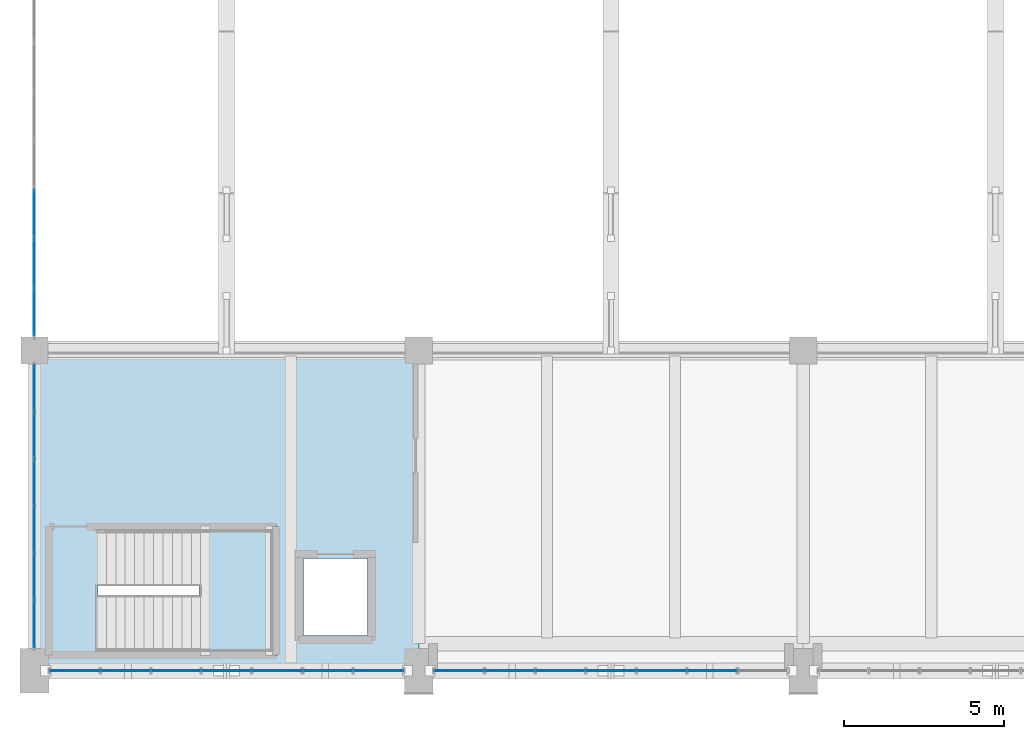
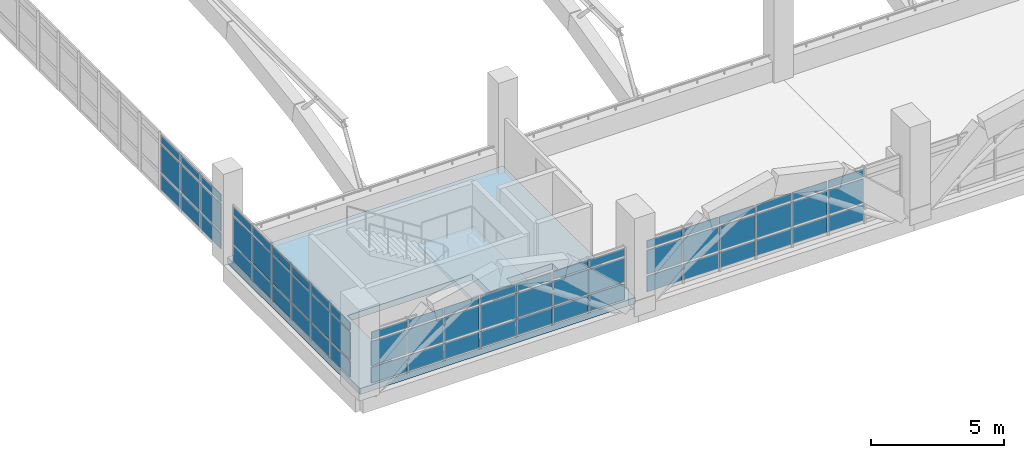
# One storey, part 121 of 161: 66 plates, 2 slabs, 5 elements without a shape of their own.
"""IFC4 building model written with IfcOpenShell, lengths in metres."""

from ifc_helpers import new_model, si_unit, direction, frame, origin, origin_2d, place, context, subcontext, project, spatial, polyline, rectangle, outline, extrude, material, layer, layer_set, type_object, element, aggregate, save


model = new_model("IFC4")

# Units and contexts
model_context = context("Model", 3, precision=1e-05, world=origin(), true_north=direction((0.0, 1.0)))
body_context = subcontext(model_context, "Body", "Model", "MODEL_VIEW")
ifc_project = project(units=[si_unit("LENGTHUNIT", "METRE"), si_unit("AREAUNIT", "SQUARE_METRE"), si_unit("VOLUMEUNIT", "CUBIC_METRE"), si_unit("PLANEANGLEUNIT", "RADIAN"), si_unit("MASSUNIT", "GRAM", prefix="KILO")], contexts=[model_context])

# Site, building, storey
site_placement = place(None, origin())
site = spatial("IfcSite", under=ifc_project, at=site_placement, CompositionType="ELEMENT")
building_placement = place(site_placement, origin())
building = spatial("IfcBuilding", under=site, at=building_placement, Name="Mersad Railyard Sports Hall", CompositionType="ELEMENT")
storey_placement = place(building_placement, frame((0.0, 0.0, 4.800048828125)))
storey = spatial("IfcBuildingStorey", under=building, at=storey_placement, Name="L01", CompositionType="ELEMENT", Elevation=4.800048828125)

# Curtain wall, plates
ifc_material_1 = material(Name="Aluminium 6063-T6", Category="aluminium")
ifc_layer_1 = layer(ifc_material_1, 0.199951171875)
ifc_layer_set_1 = layer_set([ifc_layer_1], Name="Aluminium 6063-T6")
curtain_wall_type_1 = type_object("IfcCurtainWallType", Name="ARC-CW-CW02", PredefinedType="USERDEFINED", material=ifc_layer_set_1)
curtain_wall_1_placement = place(storey_placement, origin())
curtain_wall_1 = element("IfcCurtainWall", 1, at=curtain_wall_1_placement, inside=storey, type_object=curtain_wall_type_1, Name="Curtain wall CW02-0002", ObjectType="CURTAIN WALL", PredefinedType="USERDEFINED")
ifc_material_2 = material(Name="Solar-control glass", Category="glass")
ifc_layer_2 = layer(ifc_material_2, 0.028076171875)
ifc_layer_set_2 = layer_set([ifc_layer_2], Name="Solar-control glass")
plate_type = type_object("IfcPlateType", Name="ARC-CW-PNL01", PredefinedType="CURTAIN_PANEL", material=ifc_layer_set_2)
plate_1_placement = place(storey_placement, frame((17.739990234375, 3.5, 0.0849609375), z_axis=(0.0, 0.0, 1.0), x_axis=(-1.0, 0.0, 0.0)))
plate_1 = element("IfcPlate", 2, at=plate_1_placement, type_object=plate_type, Name="CW02 Glazed panel 1-1", PredefinedType="CURTAIN_PANEL", context=body_context, shape_type="SweptSolid", body=[
    extrude(rectangle(XDim=1.535888671875, YDim=0.028076171875, at=origin_2d()), origin(), (0.0, 0.0, 1.0), 0.719970703125),
])
plate_2_placement = place(storey_placement, frame((17.739990234375, 3.5, 0.89501953125), z_axis=(0.0, 0.0, 1.0), x_axis=(-1.0, 0.0, 0.0)))
plate_2 = element("IfcPlate", 3, at=plate_2_placement, type_object=plate_type, Name="CW02 Glazed panel 1-2", PredefinedType="CURTAIN_PANEL", context=body_context, shape_type="SweptSolid", body=[
    extrude(rectangle(XDim=1.535888671875, YDim=0.028076171875, at=origin_2d()), origin(), (0.0, 0.0, 1.0), 1.110107421875),
])
plate_3_placement = place(storey_placement, frame((17.739990234375, 3.5, 2.094970703125), z_axis=(0.0, 0.0, 1.0), x_axis=(-1.0, 0.0, 0.0)))
plate_3 = element("IfcPlate", 4, at=plate_3_placement, type_object=plate_type, Name="CW02 Glazed panel 1-3", PredefinedType="CURTAIN_PANEL", context=body_context, shape_type="SweptSolid", body=[
    extrude(rectangle(XDim=1.535888671875, YDim=0.028076171875, at=origin_2d()), origin(), (0.0, 0.0, 1.0), 0.35009765625),
])
plate_4_placement = place(storey_placement, frame((16.159912109375, 3.5, 0.0849609375), z_axis=(0.0, 0.0, 1.0), x_axis=(-1.0, 0.0, 0.0)))
plate_4 = element("IfcPlate", 5, at=plate_4_placement, type_object=plate_type, Name="CW02 Glazed panel 2-1", PredefinedType="CURTAIN_PANEL", context=body_context, shape_type="SweptSolid", body=[
    extrude(rectangle(XDim=1.535888671875, YDim=0.028076171875, at=origin_2d()), origin(), (0.0, 0.0, 1.0), 0.719970703125),
])
plate_5_placement = place(storey_placement, frame((16.159912109375, 3.5, 0.89501953125), z_axis=(0.0, 0.0, 1.0), x_axis=(-1.0, 0.0, 0.0)))
plate_5 = element("IfcPlate", 6, at=plate_5_placement, type_object=plate_type, Name="CW02 Glazed panel 2-2", PredefinedType="CURTAIN_PANEL", context=body_context, shape_type="SweptSolid", body=[
    extrude(rectangle(XDim=1.535888671875, YDim=0.028076171875, at=origin_2d()), origin(), (0.0, 0.0, 1.0), 1.110107421875),
])
plate_6_placement = place(storey_placement, frame((16.159912109375, 3.5, 2.094970703125), z_axis=(0.0, 0.0, 1.0), x_axis=(-1.0, 0.0, 0.0)))
plate_6 = element("IfcPlate", 7, at=plate_6_placement, type_object=plate_type, Name="CW02 Glazed panel 2-3", PredefinedType="CURTAIN_PANEL", context=body_context, shape_type="SweptSolid", body=[
    extrude(rectangle(XDim=1.535888671875, YDim=0.028076171875, at=origin_2d()), origin(), (0.0, 0.0, 1.0), 0.35009765625),
])
plate_7_placement = place(storey_placement, frame((14.580078125, 3.5, 0.0849609375), z_axis=(0.0, 0.0, 1.0), x_axis=(-1.0, 0.0, 0.0)))
plate_7 = element("IfcPlate", 8, at=plate_7_placement, type_object=plate_type, Name="CW02 Glazed panel 3-1", PredefinedType="CURTAIN_PANEL", context=body_context, shape_type="SweptSolid", body=[
    extrude(rectangle(XDim=1.535888671875, YDim=0.028076171875, at=origin_2d()), origin(), (0.0, 0.0, 1.0), 0.719970703125),
])
plate_8_placement = place(storey_placement, frame((14.580078125, 3.5, 0.89501953125), z_axis=(0.0, 0.0, 1.0), x_axis=(-1.0, 0.0, 0.0)))
plate_8 = element("IfcPlate", 9, at=plate_8_placement, type_object=plate_type, Name="CW02 Glazed panel 3-2", PredefinedType="CURTAIN_PANEL", context=body_context, shape_type="SweptSolid", body=[
    extrude(rectangle(XDim=1.535888671875, YDim=0.028076171875, at=origin_2d()), origin(), (0.0, 0.0, 1.0), 1.110107421875),
])
plate_9_placement = place(storey_placement, frame((14.580078125, 3.5, 2.094970703125), z_axis=(0.0, 0.0, 1.0), x_axis=(-1.0, 0.0, 0.0)))
plate_9 = element("IfcPlate", 10, at=plate_9_placement, type_object=plate_type, Name="CW02 Glazed panel 3-3", PredefinedType="CURTAIN_PANEL", context=body_context, shape_type="SweptSolid", body=[
    extrude(rectangle(XDim=1.535888671875, YDim=0.028076171875, at=origin_2d()), origin(), (0.0, 0.0, 1.0), 0.35009765625),
])
plate_10_placement = place(storey_placement, frame((13.0, 3.5, 0.0849609375), z_axis=(0.0, 0.0, 1.0), x_axis=(-1.0, 0.0, 0.0)))
plate_10 = element("IfcPlate", 11, at=plate_10_placement, type_object=plate_type, Name="CW02 Glazed panel 4-1", PredefinedType="CURTAIN_PANEL", context=body_context, shape_type="SweptSolid", body=[
    extrude(rectangle(XDim=1.535888671875, YDim=0.028076171875, at=origin_2d()), origin(), (0.0, 0.0, 1.0), 0.719970703125),
])
plate_11_placement = place(storey_placement, frame((13.0, 3.5, 0.89501953125), z_axis=(0.0, 0.0, 1.0), x_axis=(-1.0, 0.0, 0.0)))
plate_11 = element("IfcPlate", 12, at=plate_11_placement, type_object=plate_type, Name="CW02 Glazed panel 4-2", PredefinedType="CURTAIN_PANEL", context=body_context, shape_type="SweptSolid", body=[
    extrude(rectangle(XDim=1.535888671875, YDim=0.028076171875, at=origin_2d()), origin(), (0.0, 0.0, 1.0), 1.110107421875),
])
plate_12_placement = place(storey_placement, frame((13.0, 3.5, 2.094970703125), z_axis=(0.0, 0.0, 1.0), x_axis=(-1.0, 0.0, 0.0)))
plate_12 = element("IfcPlate", 13, at=plate_12_placement, type_object=plate_type, Name="CW02 Glazed panel 4-3", PredefinedType="CURTAIN_PANEL", context=body_context, shape_type="SweptSolid", body=[
    extrude(rectangle(XDim=1.535888671875, YDim=0.028076171875, at=origin_2d()), origin(), (0.0, 0.0, 1.0), 0.35009765625),
])
plate_13_placement = place(storey_placement, frame((11.419921875, 3.5, 0.0849609375), z_axis=(0.0, 0.0, 1.0), x_axis=(-1.0, 0.0, 0.0)))
plate_13 = element("IfcPlate", 14, at=plate_13_placement, type_object=plate_type, Name="CW02 Glazed panel 5-1", PredefinedType="CURTAIN_PANEL", context=body_context, shape_type="SweptSolid", body=[
    extrude(rectangle(XDim=1.535888671875, YDim=0.028076171875, at=origin_2d()), origin(), (0.0, 0.0, 1.0), 0.719970703125),
])
plate_14_placement = place(storey_placement, frame((11.419921875, 3.5, 0.89501953125), z_axis=(0.0, 0.0, 1.0), x_axis=(-1.0, 0.0, 0.0)))
plate_14 = element("IfcPlate", 15, at=plate_14_placement, type_object=plate_type, Name="CW02 Glazed panel 5-2", PredefinedType="CURTAIN_PANEL", context=body_context, shape_type="SweptSolid", body=[
    extrude(rectangle(XDim=1.535888671875, YDim=0.028076171875, at=origin_2d()), origin(), (0.0, 0.0, 1.0), 1.110107421875),
])
plate_15_placement = place(storey_placement, frame((11.419921875, 3.5, 2.094970703125), z_axis=(0.0, 0.0, 1.0), x_axis=(-1.0, 0.0, 0.0)))
plate_15 = element("IfcPlate", 16, at=plate_15_placement, type_object=plate_type, Name="CW02 Glazed panel 5-3", PredefinedType="CURTAIN_PANEL", context=body_context, shape_type="SweptSolid", body=[
    extrude(rectangle(XDim=1.535888671875, YDim=0.028076171875, at=origin_2d()), origin(), (0.0, 0.0, 1.0), 0.35009765625),
])
plate_16_placement = place(storey_placement, frame((9.840087890625, 3.5, 0.0849609375), z_axis=(0.0, 0.0, 1.0), x_axis=(-1.0, 0.0, 0.0)))
plate_16 = element("IfcPlate", 17, at=plate_16_placement, type_object=plate_type, Name="CW02 Glazed panel 6-1", PredefinedType="CURTAIN_PANEL", context=body_context, shape_type="SweptSolid", body=[
    extrude(rectangle(XDim=1.535888671875, YDim=0.028076171875, at=origin_2d()), origin(), (0.0, 0.0, 1.0), 0.719970703125),
])
plate_17_placement = place(storey_placement, frame((9.840087890625, 3.5, 0.89501953125), z_axis=(0.0, 0.0, 1.0), x_axis=(-1.0, 0.0, 0.0)))
plate_17 = element("IfcPlate", 18, at=plate_17_placement, type_object=plate_type, Name="CW02 Glazed panel 6-2", PredefinedType="CURTAIN_PANEL", context=body_context, shape_type="SweptSolid", body=[
    extrude(rectangle(XDim=1.535888671875, YDim=0.028076171875, at=origin_2d()), origin(), (0.0, 0.0, 1.0), 1.110107421875),
])
plate_18_placement = place(storey_placement, frame((9.840087890625, 3.5, 2.094970703125), z_axis=(0.0, 0.0, 1.0), x_axis=(-1.0, 0.0, 0.0)))
plate_18 = element("IfcPlate", 19, at=plate_18_placement, type_object=plate_type, Name="CW02 Glazed panel 6-3", PredefinedType="CURTAIN_PANEL", context=body_context, shape_type="SweptSolid", body=[
    extrude(rectangle(XDim=1.535888671875, YDim=0.028076171875, at=origin_2d()), origin(), (0.0, 0.0, 1.0), 0.35009765625),
])
plate_19_placement = place(storey_placement, frame((8.260009765625, 3.5, 0.0849609375), z_axis=(0.0, 0.0, 1.0), x_axis=(-1.0, 0.0, 0.0)))
plate_19 = element("IfcPlate", 20, at=plate_19_placement, type_object=plate_type, Name="CW02 Glazed panel 7-1", PredefinedType="CURTAIN_PANEL", context=body_context, shape_type="SweptSolid", body=[
    extrude(rectangle(XDim=1.535888671875, YDim=0.028076171875, at=origin_2d()), origin(), (0.0, 0.0, 1.0), 0.719970703125),
])
plate_20_placement = place(storey_placement, frame((8.260009765625, 3.5, 0.89501953125), z_axis=(0.0, 0.0, 1.0), x_axis=(-1.0, 0.0, 0.0)))
plate_20 = element("IfcPlate", 21, at=plate_20_placement, type_object=plate_type, Name="CW02 Glazed panel 7-2", PredefinedType="CURTAIN_PANEL", context=body_context, shape_type="SweptSolid", body=[
    extrude(rectangle(XDim=1.535888671875, YDim=0.028076171875, at=origin_2d()), origin(), (0.0, 0.0, 1.0), 1.110107421875),
])
plate_21_placement = place(storey_placement, frame((8.260009765625, 3.5, 2.094970703125), z_axis=(0.0, 0.0, 1.0), x_axis=(-1.0, 0.0, 0.0)))
plate_21 = element("IfcPlate", 22, at=plate_21_placement, type_object=plate_type, Name="CW02 Glazed panel 7-3", PredefinedType="CURTAIN_PANEL", context=body_context, shape_type="SweptSolid", body=[
    extrude(rectangle(XDim=1.535888671875, YDim=0.028076171875, at=origin_2d()), origin(), (0.0, 0.0, 1.0), 0.35009765625),
])
aggregate(curtain_wall_1, [plate_1, plate_2, plate_3, plate_4, plate_5, plate_6, plate_7, plate_8, plate_9, plate_10, plate_11, plate_12, plate_13, plate_14, plate_15, plate_16, plate_17, plate_18, plate_19, plate_20, plate_21])

curtain_wall_2_placement = place(storey_placement, origin())
curtain_wall_2 = element("IfcCurtainWall", 23, at=curtain_wall_2_placement, inside=storey, type_object=curtain_wall_type_1, Name="Curtain wall CW02-0005", ObjectType="CURTAIN WALL", PredefinedType="USERDEFINED")
plate_22_placement = place(storey_placement, frame((28.159912109375, 3.5, 0.0849609375), z_axis=(0.0, 0.0, 1.0), x_axis=(-1.0, 0.0, 0.0)))
plate_22 = element("IfcPlate", 24, at=plate_22_placement, type_object=plate_type, Name="CW02 Glazed panel 2-1", PredefinedType="CURTAIN_PANEL", context=body_context, shape_type="SweptSolid", body=[
    extrude(rectangle(XDim=1.535888671875, YDim=0.028076171875, at=origin_2d()), origin(), (0.0, 0.0, 1.0), 0.719970703125),
])
plate_23_placement = place(storey_placement, frame((28.159912109375, 3.5, 0.89501953125), z_axis=(0.0, 0.0, 1.0), x_axis=(-1.0, 0.0, 0.0)))
plate_23 = element("IfcPlate", 25, at=plate_23_placement, type_object=plate_type, Name="CW02 Glazed panel 2-2", PredefinedType="CURTAIN_PANEL", context=body_context, shape_type="SweptSolid", body=[
    extrude(rectangle(XDim=1.535888671875, YDim=0.028076171875, at=origin_2d()), origin(), (0.0, 0.0, 1.0), 1.110107421875),
])
plate_24_placement = place(storey_placement, frame((28.159912109375, 3.5, 2.094970703125), z_axis=(0.0, 0.0, 1.0), x_axis=(-1.0, 0.0, 0.0)))
plate_24 = element("IfcPlate", 26, at=plate_24_placement, type_object=plate_type, Name="CW02 Glazed panel 2-3", PredefinedType="CURTAIN_PANEL", context=body_context, shape_type="SweptSolid", body=[
    extrude(rectangle(XDim=1.535888671875, YDim=0.028076171875, at=origin_2d()), origin(), (0.0, 0.0, 1.0), 0.35009765625),
])
plate_25_placement = place(storey_placement, frame((26.580078125, 3.5, 0.0849609375), z_axis=(0.0, 0.0, 1.0), x_axis=(-1.0, 0.0, 0.0)))
plate_25 = element("IfcPlate", 27, at=plate_25_placement, type_object=plate_type, Name="CW02 Glazed panel 3-1", PredefinedType="CURTAIN_PANEL", context=body_context, shape_type="SweptSolid", body=[
    extrude(rectangle(XDim=1.535888671875, YDim=0.028076171875, at=origin_2d()), origin(), (0.0, 0.0, 1.0), 0.719970703125),
])
plate_26_placement = place(storey_placement, frame((26.580078125, 3.5, 0.89501953125), z_axis=(0.0, 0.0, 1.0), x_axis=(-1.0, 0.0, 0.0)))
plate_26 = element("IfcPlate", 28, at=plate_26_placement, type_object=plate_type, Name="CW02 Glazed panel 3-2", PredefinedType="CURTAIN_PANEL", context=body_context, shape_type="SweptSolid", body=[
    extrude(rectangle(XDim=1.535888671875, YDim=0.028076171875, at=origin_2d()), origin(), (0.0, 0.0, 1.0), 1.110107421875),
])
plate_27_placement = place(storey_placement, frame((26.580078125, 3.5, 2.094970703125), z_axis=(0.0, 0.0, 1.0), x_axis=(-1.0, 0.0, 0.0)))
plate_27 = element("IfcPlate", 29, at=plate_27_placement, type_object=plate_type, Name="CW02 Glazed panel 3-3", PredefinedType="CURTAIN_PANEL", context=body_context, shape_type="SweptSolid", body=[
    extrude(rectangle(XDim=1.535888671875, YDim=0.028076171875, at=origin_2d()), origin(), (0.0, 0.0, 1.0), 0.35009765625),
])
plate_28_placement = place(storey_placement, frame((25.0, 3.5, 0.0849609375), z_axis=(0.0, 0.0, 1.0), x_axis=(-1.0, 0.0, 0.0)))
plate_28 = element("IfcPlate", 30, at=plate_28_placement, type_object=plate_type, Name="CW02 Glazed panel 4-1", PredefinedType="CURTAIN_PANEL", context=body_context, shape_type="SweptSolid", body=[
    extrude(rectangle(XDim=1.535888671875, YDim=0.028076171875, at=origin_2d()), origin(), (0.0, 0.0, 1.0), 0.719970703125),
])
plate_29_placement = place(storey_placement, frame((25.0, 3.5, 0.89501953125), z_axis=(0.0, 0.0, 1.0), x_axis=(-1.0, 0.0, 0.0)))
plate_29 = element("IfcPlate", 31, at=plate_29_placement, type_object=plate_type, Name="CW02 Glazed panel 4-2", PredefinedType="CURTAIN_PANEL", context=body_context, shape_type="SweptSolid", body=[
    extrude(rectangle(XDim=1.535888671875, YDim=0.028076171875, at=origin_2d()), origin(), (0.0, 0.0, 1.0), 1.110107421875),
])
plate_30_placement = place(storey_placement, frame((25.0, 3.5, 2.094970703125), z_axis=(0.0, 0.0, 1.0), x_axis=(-1.0, 0.0, 0.0)))
plate_30 = element("IfcPlate", 32, at=plate_30_placement, type_object=plate_type, Name="CW02 Glazed panel 4-3", PredefinedType="CURTAIN_PANEL", context=body_context, shape_type="SweptSolid", body=[
    extrude(rectangle(XDim=1.535888671875, YDim=0.028076171875, at=origin_2d()), origin(), (0.0, 0.0, 1.0), 0.35009765625),
])
plate_31_placement = place(storey_placement, frame((23.419921875, 3.5, 0.0849609375), z_axis=(0.0, 0.0, 1.0), x_axis=(-1.0, 0.0, 0.0)))
plate_31 = element("IfcPlate", 33, at=plate_31_placement, type_object=plate_type, Name="CW02 Glazed panel 5-1", PredefinedType="CURTAIN_PANEL", context=body_context, shape_type="SweptSolid", body=[
    extrude(rectangle(XDim=1.535888671875, YDim=0.028076171875, at=origin_2d()), origin(), (0.0, 0.0, 1.0), 0.719970703125),
])
plate_32_placement = place(storey_placement, frame((23.419921875, 3.5, 0.89501953125), z_axis=(0.0, 0.0, 1.0), x_axis=(-1.0, 0.0, 0.0)))
plate_32 = element("IfcPlate", 34, at=plate_32_placement, type_object=plate_type, Name="CW02 Glazed panel 5-2", PredefinedType="CURTAIN_PANEL", context=body_context, shape_type="SweptSolid", body=[
    extrude(rectangle(XDim=1.535888671875, YDim=0.028076171875, at=origin_2d()), origin(), (0.0, 0.0, 1.0), 1.110107421875),
])
plate_33_placement = place(storey_placement, frame((23.419921875, 3.5, 2.094970703125), z_axis=(0.0, 0.0, 1.0), x_axis=(-1.0, 0.0, 0.0)))
plate_33 = element("IfcPlate", 35, at=plate_33_placement, type_object=plate_type, Name="CW02 Glazed panel 5-3", PredefinedType="CURTAIN_PANEL", context=body_context, shape_type="SweptSolid", body=[
    extrude(rectangle(XDim=1.535888671875, YDim=0.028076171875, at=origin_2d()), origin(), (0.0, 0.0, 1.0), 0.35009765625),
])
plate_34_placement = place(storey_placement, frame((21.840087890625, 3.5, 0.0849609375), z_axis=(0.0, 0.0, 1.0), x_axis=(-1.0, 0.0, 0.0)))
plate_34 = element("IfcPlate", 36, at=plate_34_placement, type_object=plate_type, Name="CW02 Glazed panel 6-1", PredefinedType="CURTAIN_PANEL", context=body_context, shape_type="SweptSolid", body=[
    extrude(rectangle(XDim=1.535888671875, YDim=0.028076171875, at=origin_2d()), origin(), (0.0, 0.0, 1.0), 0.719970703125),
])
plate_35_placement = place(storey_placement, frame((21.840087890625, 3.5, 0.89501953125), z_axis=(0.0, 0.0, 1.0), x_axis=(-1.0, 0.0, 0.0)))
plate_35 = element("IfcPlate", 37, at=plate_35_placement, type_object=plate_type, Name="CW02 Glazed panel 6-2", PredefinedType="CURTAIN_PANEL", context=body_context, shape_type="SweptSolid", body=[
    extrude(rectangle(XDim=1.535888671875, YDim=0.028076171875, at=origin_2d()), origin(), (0.0, 0.0, 1.0), 1.110107421875),
])
plate_36_placement = place(storey_placement, frame((21.840087890625, 3.5, 2.094970703125), z_axis=(0.0, 0.0, 1.0), x_axis=(-1.0, 0.0, 0.0)))
plate_36 = element("IfcPlate", 38, at=plate_36_placement, type_object=plate_type, Name="CW02 Glazed panel 6-3", PredefinedType="CURTAIN_PANEL", context=body_context, shape_type="SweptSolid", body=[
    extrude(rectangle(XDim=1.535888671875, YDim=0.028076171875, at=origin_2d()), origin(), (0.0, 0.0, 1.0), 0.35009765625),
])
plate_37_placement = place(storey_placement, frame((20.260009765625, 3.5, 0.0849609375), z_axis=(0.0, 0.0, 1.0), x_axis=(-1.0, 0.0, 0.0)))
plate_37 = element("IfcPlate", 39, at=plate_37_placement, type_object=plate_type, Name="CW02 Glazed panel 7-1", PredefinedType="CURTAIN_PANEL", context=body_context, shape_type="SweptSolid", body=[
    extrude(rectangle(XDim=1.535888671875, YDim=0.028076171875, at=origin_2d()), origin(), (0.0, 0.0, 1.0), 0.719970703125),
])
plate_38_placement = place(storey_placement, frame((20.260009765625, 3.5, 0.89501953125), z_axis=(0.0, 0.0, 1.0), x_axis=(-1.0, 0.0, 0.0)))
plate_38 = element("IfcPlate", 40, at=plate_38_placement, type_object=plate_type, Name="CW02 Glazed panel 7-2", PredefinedType="CURTAIN_PANEL", context=body_context, shape_type="SweptSolid", body=[
    extrude(rectangle(XDim=1.535888671875, YDim=0.028076171875, at=origin_2d()), origin(), (0.0, 0.0, 1.0), 1.110107421875),
])
plate_39_placement = place(storey_placement, frame((20.260009765625, 3.5, 2.094970703125), z_axis=(0.0, 0.0, 1.0), x_axis=(-1.0, 0.0, 0.0)))
plate_39 = element("IfcPlate", 41, at=plate_39_placement, type_object=plate_type, Name="CW02 Glazed panel 7-3", PredefinedType="CURTAIN_PANEL", context=body_context, shape_type="SweptSolid", body=[
    extrude(rectangle(XDim=1.535888671875, YDim=0.028076171875, at=origin_2d()), origin(), (0.0, 0.0, 1.0), 0.35009765625),
])
aggregate(curtain_wall_2, [plate_22, plate_23, plate_24, plate_25, plate_26, plate_27, plate_28, plate_29, plate_30, plate_31, plate_32, plate_33, plate_34, plate_35, plate_36, plate_37, plate_38, plate_39])

ifc_layer_3 = layer(ifc_material_1, 0.159912109375)
ifc_layer_set_3 = layer_set([ifc_layer_3], Name="Aluminium 6063-T6")
curtain_wall_type_2 = type_object("IfcCurtainWallType", Name="ARC-CW-CW03", PredefinedType="USERDEFINED", material=ifc_layer_set_3)
curtain_wall_3_placement = place(storey_placement, origin())
curtain_wall_3 = element("IfcCurtainWall", 42, at=curtain_wall_3_placement, inside=storey, type_object=curtain_wall_type_2, Name="Curtain wall CW03-0023", ObjectType="CURTAIN WALL", PredefinedType="USERDEFINED")
plate_40_placement = place(storey_placement, frame((7.0, 4.956298828125, 0.0849609375), z_axis=(0.0, 0.0, 1.0), x_axis=(0.0, 1.0, 0.0)))
plate_40 = element("IfcPlate", 43, at=plate_40_placement, type_object=plate_type, Name="CW03 Glazed panel 1-1", PredefinedType="CURTAIN_PANEL", context=body_context, shape_type="SweptSolid", body=[
    extrude(rectangle(XDim=1.428466796875, YDim=0.028076171875, at=origin_2d()), origin(), (0.0, 0.0, 1.0), 0.719970703125),
])
plate_41_placement = place(storey_placement, frame((7.0, 4.956298828125, 0.89501953125), z_axis=(0.0, 0.0, 1.0), x_axis=(0.0, 1.0, 0.0)))
plate_41 = element("IfcPlate", 44, at=plate_41_placement, type_object=plate_type, Name="CW03 Glazed panel 1-2", PredefinedType="CURTAIN_PANEL", context=body_context, shape_type="SweptSolid", body=[
    extrude(rectangle(XDim=1.428466796875, YDim=0.028076171875, at=origin_2d()), origin(), (0.0, 0.0, 1.0), 1.260009765625),
])
plate_42_placement = place(storey_placement, frame((7.0, 4.956298828125, 2.244873046875), z_axis=(0.0, 0.0, 1.0), x_axis=(0.0, 1.0, 0.0)))
plate_42 = element("IfcPlate", 45, at=plate_42_placement, type_object=plate_type, Name="CW03 Glazed panel 1-3", PredefinedType="CURTAIN_PANEL", context=body_context, shape_type="SweptSolid", body=[
    extrude(rectangle(XDim=1.428466796875, YDim=0.028076171875, at=origin_2d()), origin(), (0.0, 0.0, 1.0), 0.35009765625),
])
plate_43_placement = place(storey_placement, frame((7.0, 6.4287109375, 0.0849609375), z_axis=(0.0, 0.0, 1.0), x_axis=(0.0, 1.0, 0.0)))
plate_43 = element("IfcPlate", 46, at=plate_43_placement, type_object=plate_type, Name="CW03 Glazed panel 2-1", PredefinedType="CURTAIN_PANEL", context=body_context, shape_type="SweptSolid", body=[
    extrude(rectangle(XDim=1.428466796875, YDim=0.028076171875, at=origin_2d()), origin(), (0.0, 0.0, 1.0), 0.719970703125),
])
plate_44_placement = place(storey_placement, frame((7.0, 6.4287109375, 0.89501953125), z_axis=(0.0, 0.0, 1.0), x_axis=(0.0, 1.0, 0.0)))
plate_44 = element("IfcPlate", 47, at=plate_44_placement, type_object=plate_type, Name="CW03 Glazed panel 2-2", PredefinedType="CURTAIN_PANEL", context=body_context, shape_type="SweptSolid", body=[
    extrude(rectangle(XDim=1.428466796875, YDim=0.028076171875, at=origin_2d()), origin(), (0.0, 0.0, 1.0), 1.260009765625),
])
plate_45_placement = place(storey_placement, frame((7.0, 6.4287109375, 2.244873046875), z_axis=(0.0, 0.0, 1.0), x_axis=(0.0, 1.0, 0.0)))
plate_45 = element("IfcPlate", 48, at=plate_45_placement, type_object=plate_type, Name="CW03 Glazed panel 2-3", PredefinedType="CURTAIN_PANEL", context=body_context, shape_type="SweptSolid", body=[
    extrude(rectangle(XDim=1.428466796875, YDim=0.028076171875, at=origin_2d()), origin(), (0.0, 0.0, 1.0), 0.35009765625),
])
plate_46_placement = place(storey_placement, frame((7.0, 7.9013671875, 0.0849609375), z_axis=(0.0, 0.0, 1.0), x_axis=(0.0, 1.0, 0.0)))
plate_46 = element("IfcPlate", 49, at=plate_46_placement, type_object=plate_type, Name="CW03 Glazed panel 3-1", PredefinedType="CURTAIN_PANEL", context=body_context, shape_type="SweptSolid", body=[
    extrude(rectangle(XDim=1.428466796875, YDim=0.028076171875, at=origin_2d()), origin(), (0.0, 0.0, 1.0), 0.719970703125),
])
plate_47_placement = place(storey_placement, frame((7.0, 7.9013671875, 0.89501953125), z_axis=(0.0, 0.0, 1.0), x_axis=(0.0, 1.0, 0.0)))
plate_47 = element("IfcPlate", 50, at=plate_47_placement, type_object=plate_type, Name="CW03 Glazed panel 3-2", PredefinedType="CURTAIN_PANEL", context=body_context, shape_type="SweptSolid", body=[
    extrude(rectangle(XDim=1.428466796875, YDim=0.028076171875, at=origin_2d()), origin(), (0.0, 0.0, 1.0), 1.260009765625),
])
plate_48_placement = place(storey_placement, frame((7.0, 7.9013671875, 2.244873046875), z_axis=(0.0, 0.0, 1.0), x_axis=(0.0, 1.0, 0.0)))
plate_48 = element("IfcPlate", 51, at=plate_48_placement, type_object=plate_type, Name="CW03 Glazed panel 3-3", PredefinedType="CURTAIN_PANEL", context=body_context, shape_type="SweptSolid", body=[
    extrude(rectangle(XDim=1.428466796875, YDim=0.028076171875, at=origin_2d()), origin(), (0.0, 0.0, 1.0), 0.35009765625),
])
plate_49_placement = place(storey_placement, frame((7.0, 9.373779296875, 0.0849609375), z_axis=(0.0, 0.0, 1.0), x_axis=(0.0, 1.0, 0.0)))
plate_49 = element("IfcPlate", 52, at=plate_49_placement, type_object=plate_type, Name="CW03 Glazed panel 4-1", PredefinedType="CURTAIN_PANEL", context=body_context, shape_type="SweptSolid", body=[
    extrude(rectangle(XDim=1.428466796875, YDim=0.028076171875, at=origin_2d()), origin(), (0.0, 0.0, 1.0), 0.719970703125),
])
plate_50_placement = place(storey_placement, frame((7.0, 9.373779296875, 0.89501953125), z_axis=(0.0, 0.0, 1.0), x_axis=(0.0, 1.0, 0.0)))
plate_50 = element("IfcPlate", 53, at=plate_50_placement, type_object=plate_type, Name="CW03 Glazed panel 4-2", PredefinedType="CURTAIN_PANEL", context=body_context, shape_type="SweptSolid", body=[
    extrude(rectangle(XDim=1.428466796875, YDim=0.028076171875, at=origin_2d()), origin(), (0.0, 0.0, 1.0), 1.260009765625),
])
plate_51_placement = place(storey_placement, frame((7.0, 9.373779296875, 2.244873046875), z_axis=(0.0, 0.0, 1.0), x_axis=(0.0, 1.0, 0.0)))
plate_51 = element("IfcPlate", 54, at=plate_51_placement, type_object=plate_type, Name="CW03 Glazed panel 4-3", PredefinedType="CURTAIN_PANEL", context=body_context, shape_type="SweptSolid", body=[
    extrude(rectangle(XDim=1.428466796875, YDim=0.028076171875, at=origin_2d()), origin(), (0.0, 0.0, 1.0), 0.35009765625),
])
plate_52_placement = place(storey_placement, frame((7.0, 10.84619140625, 0.0849609375), z_axis=(0.0, 0.0, 1.0), x_axis=(0.0, 1.0, 0.0)))
plate_52 = element("IfcPlate", 55, at=plate_52_placement, type_object=plate_type, Name="CW03 Glazed panel 5-1", PredefinedType="CURTAIN_PANEL", context=body_context, shape_type="SweptSolid", body=[
    extrude(rectangle(XDim=1.428466796875, YDim=0.028076171875, at=origin_2d()), origin(), (0.0, 0.0, 1.0), 0.719970703125),
])
plate_53_placement = place(storey_placement, frame((7.0, 10.84619140625, 0.89501953125), z_axis=(0.0, 0.0, 1.0), x_axis=(0.0, 1.0, 0.0)))
plate_53 = element("IfcPlate", 56, at=plate_53_placement, type_object=plate_type, Name="CW03 Glazed panel 5-2", PredefinedType="CURTAIN_PANEL", context=body_context, shape_type="SweptSolid", body=[
    extrude(rectangle(XDim=1.428466796875, YDim=0.028076171875, at=origin_2d()), origin(), (0.0, 0.0, 1.0), 1.260009765625),
])
plate_54_placement = place(storey_placement, frame((7.0, 10.84619140625, 2.244873046875), z_axis=(0.0, 0.0, 1.0), x_axis=(0.0, 1.0, 0.0)))
plate_54 = element("IfcPlate", 57, at=plate_54_placement, type_object=plate_type, Name="CW03 Glazed panel 5-3", PredefinedType="CURTAIN_PANEL", context=body_context, shape_type="SweptSolid", body=[
    extrude(rectangle(XDim=1.428466796875, YDim=0.028076171875, at=origin_2d()), origin(), (0.0, 0.0, 1.0), 0.35009765625),
])
plate_55_placement = place(storey_placement, frame((7.0, 12.31884765625, 0.0849609375), z_axis=(0.0, 0.0, 1.0), x_axis=(0.0, 1.0, 0.0)))
plate_55 = element("IfcPlate", 58, at=plate_55_placement, type_object=plate_type, Name="CW03 Glazed panel 6-1", PredefinedType="CURTAIN_PANEL", context=body_context, shape_type="SweptSolid", body=[
    extrude(rectangle(XDim=1.428466796875, YDim=0.028076171875, at=origin_2d()), origin(), (0.0, 0.0, 1.0), 0.719970703125),
])
plate_56_placement = place(storey_placement, frame((7.0, 12.31884765625, 0.89501953125), z_axis=(0.0, 0.0, 1.0), x_axis=(0.0, 1.0, 0.0)))
plate_56 = element("IfcPlate", 59, at=plate_56_placement, type_object=plate_type, Name="CW03 Glazed panel 6-2", PredefinedType="CURTAIN_PANEL", context=body_context, shape_type="SweptSolid", body=[
    extrude(rectangle(XDim=1.428466796875, YDim=0.028076171875, at=origin_2d()), origin(), (0.0, 0.0, 1.0), 1.260009765625),
])
plate_57_placement = place(storey_placement, frame((7.0, 12.31884765625, 2.244873046875), z_axis=(0.0, 0.0, 1.0), x_axis=(0.0, 1.0, 0.0)))
plate_57 = element("IfcPlate", 60, at=plate_57_placement, type_object=plate_type, Name="CW03 Glazed panel 6-3", PredefinedType="CURTAIN_PANEL", context=body_context, shape_type="SweptSolid", body=[
    extrude(rectangle(XDim=1.428466796875, YDim=0.028076171875, at=origin_2d()), origin(), (0.0, 0.0, 1.0), 0.35009765625),
])
aggregate(curtain_wall_3, [plate_40, plate_41, plate_42, plate_43, plate_44, plate_45, plate_46, plate_47, plate_48, plate_49, plate_50, plate_51, plate_52, plate_53, plate_54, plate_55, plate_56, plate_57])

ifc_layer_4 = layer(ifc_material_1, 0.199951171875)
ifc_layer_set_4 = layer_set([ifc_layer_4], Name="Aluminium 6063-T6")
curtain_wall_type_3 = type_object("IfcCurtainWallType", Name="ARC-CW-CW04", PredefinedType="USERDEFINED", material=ifc_layer_set_4)
curtain_wall_4_placement = place(storey_placement, origin())
curtain_wall_4 = element("IfcCurtainWall", 61, at=curtain_wall_4_placement, inside=storey, type_object=curtain_wall_type_3, Name="Curtain wall CW04-0024", ObjectType="CURTAIN WALL", PredefinedType="USERDEFINED")
plate_58_placement = place(storey_placement, frame((7.0, 14.7109375, 0.0849609375), z_axis=(0.0, 0.0, 1.0), x_axis=(0.0, 1.0, 0.0)))
plate_58 = element("IfcPlate", 62, at=plate_58_placement, type_object=plate_type, Name="CW04 Glazed panel 1-1", PredefinedType="CURTAIN_PANEL", context=body_context, shape_type="SweptSolid", body=[
    extrude(rectangle(XDim=1.488037109375, YDim=0.028076171875, at=origin_2d()), origin(), (0.0, 0.0, 1.0), 0.719970703125),
])
plate_59_placement = place(storey_placement, frame((7.0, 14.7109375, 0.89501953125), z_axis=(0.0, 0.0, 1.0), x_axis=(0.0, 1.0, 0.0)))
plate_59 = element("IfcPlate", 63, at=plate_59_placement, type_object=plate_type, Name="CW04 Glazed panel 1-2", PredefinedType="CURTAIN_PANEL", context=body_context, shape_type="SweptSolid", body=[
    extrude(rectangle(XDim=1.488037109375, YDim=0.028076171875, at=origin_2d()), origin(), (0.0, 0.0, 1.0), 1.260009765625),
])
plate_60_placement = place(storey_placement, frame((7.0, 14.7109375, 2.244873046875), z_axis=(0.0, 0.0, 1.0), x_axis=(0.0, 1.0, 0.0)))
plate_60 = element("IfcPlate", 64, at=plate_60_placement, type_object=plate_type, Name="CW04 Glazed panel 1-3", PredefinedType="CURTAIN_PANEL", context=body_context, shape_type="SweptSolid", body=[
    extrude(rectangle(XDim=1.488037109375, YDim=0.028076171875, at=origin_2d()), origin(), (0.0, 0.0, 1.0), 0.35009765625),
])
plate_61_placement = place(storey_placement, frame((7.0, 16.2431640625, 0.0849609375), z_axis=(0.0, 0.0, 1.0), x_axis=(0.0, 1.0, 0.0)))
plate_61 = element("IfcPlate", 65, at=plate_61_placement, type_object=plate_type, Name="CW04 Glazed panel 2-1", PredefinedType="CURTAIN_PANEL", context=body_context, shape_type="SweptSolid", body=[
    extrude(rectangle(XDim=1.488037109375, YDim=0.028076171875, at=origin_2d()), origin(), (0.0, 0.0, 1.0), 0.719970703125),
])
plate_62_placement = place(storey_placement, frame((7.0, 16.2431640625, 0.89501953125), z_axis=(0.0, 0.0, 1.0), x_axis=(0.0, 1.0, 0.0)))
plate_62 = element("IfcPlate", 66, at=plate_62_placement, type_object=plate_type, Name="CW04 Glazed panel 2-2", PredefinedType="CURTAIN_PANEL", context=body_context, shape_type="SweptSolid", body=[
    extrude(rectangle(XDim=1.488037109375, YDim=0.028076171875, at=origin_2d()), origin(), (0.0, 0.0, 1.0), 1.260009765625),
])
plate_63_placement = place(storey_placement, frame((7.0, 16.2431640625, 2.244873046875), z_axis=(0.0, 0.0, 1.0), x_axis=(0.0, 1.0, 0.0)))
plate_63 = element("IfcPlate", 67, at=plate_63_placement, type_object=plate_type, Name="CW04 Glazed panel 2-3", PredefinedType="CURTAIN_PANEL", context=body_context, shape_type="SweptSolid", body=[
    extrude(rectangle(XDim=1.488037109375, YDim=0.028076171875, at=origin_2d()), origin(), (0.0, 0.0, 1.0), 0.35009765625),
])
plate_64_placement = place(storey_placement, frame((7.0, 17.775146484375, 0.0849609375), z_axis=(0.0, 0.0, 1.0), x_axis=(0.0, 1.0, 0.0)))
plate_64 = element("IfcPlate", 68, at=plate_64_placement, type_object=plate_type, Name="CW04 Glazed panel 3-1", PredefinedType="CURTAIN_PANEL", context=body_context, shape_type="SweptSolid", body=[
    extrude(rectangle(XDim=1.488037109375, YDim=0.028076171875, at=origin_2d()), origin(), (0.0, 0.0, 1.0), 0.719970703125),
])
plate_65_placement = place(storey_placement, frame((7.0, 17.775146484375, 0.89501953125), z_axis=(0.0, 0.0, 1.0), x_axis=(0.0, 1.0, 0.0)))
plate_65 = element("IfcPlate", 69, at=plate_65_placement, type_object=plate_type, Name="CW04 Glazed panel 3-2", PredefinedType="CURTAIN_PANEL", context=body_context, shape_type="SweptSolid", body=[
    extrude(rectangle(XDim=1.488037109375, YDim=0.028076171875, at=origin_2d()), origin(), (0.0, 0.0, 1.0), 1.260009765625),
])
plate_66_placement = place(storey_placement, frame((7.0, 17.775146484375, 2.244873046875), z_axis=(0.0, 0.0, 1.0), x_axis=(0.0, 1.0, 0.0)))
plate_66 = element("IfcPlate", 70, at=plate_66_placement, type_object=plate_type, Name="CW04 Glazed panel 3-3", PredefinedType="CURTAIN_PANEL", context=body_context, shape_type="SweptSolid", body=[
    extrude(rectangle(XDim=1.488037109375, YDim=0.028076171875, at=origin_2d()), origin(), (0.0, 0.0, 1.0), 0.35009765625),
])
aggregate(curtain_wall_4, [plate_58, plate_59, plate_60, plate_61, plate_62, plate_63, plate_64, plate_65, plate_66])

# Slab
ifc_material_3 = material(Name="Concrete C40/50", Category="concrete")
ifc_layer_5 = layer(ifc_material_3, 0.280029296875)
ifc_layer_set_5 = layer_set([ifc_layer_5], Name="Concrete C40/50")
slab_type_1 = type_object("IfcSlabType", Name="STR-SL-FL02", PredefinedType="FLOOR", material=ifc_layer_set_5)
slab_1_placement = place(storey_placement, frame((0.0, 0.0, -0.280029296875)))
element("IfcSlab", 71, at=slab_1_placement, inside=storey, type_object=slab_type_1, Name="Slab SL02-0037", PredefinedType="FLOOR", context=body_context, shape_type="SweptSolid", body=[
    extrude(outline(polyline([(7.0, 3.5), (19.0, 3.5), (19.0, 13.5), (7.0, 13.5), (7.0, 3.5)]), holes=[polyline([(8.989990234375, 4.10009765625), (14.449951171875, 4.10009765625), (14.449951171875, 7.89990234375), (8.989990234375, 7.89990234375), (8.989990234375, 4.10009765625)]), polyline([(15.39990234375, 4.60009765625), (17.39990234375, 4.60009765625), (17.39990234375, 7.0), (15.39990234375, 7.0), (15.39990234375, 4.60009765625)])]), origin(), (0.0, 0.0, 1.0), 0.280029296875),
])

# Stair, slab
stair_type = type_object("IfcStairType", Name="ARC-ST-ST05B", PredefinedType="HALF_TURN_STAIR", material=ifc_material_3)
stair_placement = place(storey_placement, origin())
stair = element("IfcStair", 72, at=stair_placement, inside=storey, type_object=stair_type, Name="SW Pavilion Pitch Stair L01-L02", PredefinedType="HALF_TURN_STAIR")
ifc_material_4 = material(Name="Precast concrete C45/55", Category="concrete")
ifc_layer_6 = layer(ifc_material_4, 0.199951171875)
ifc_layer_set_6 = layer_set([ifc_layer_6], Name="Precast concrete C45/55")
slab_type_2 = type_object("IfcSlabType", Name="STR-SL-LD02", PredefinedType="LANDING", material=ifc_layer_set_6)
slab_2_placement = place(storey_placement, frame((0.0, 0.0, 1.919921875)))
slab_2 = element("IfcSlab", 73, at=slab_2_placement, type_object=slab_type_2, Name="SW Pavilion Pitch Stair L01-L02 Half Landing", PredefinedType="LANDING", context=body_context, shape_type="SweptSolid", body=[
    extrude(outline(polyline([(12.135009765625, 3.97998046875), (14.570068359375, 3.97998046875), (14.570068359375, 8.02001953125), (12.135009765625, 8.02001953125), (12.135009765625, 3.97998046875)])), origin(), (0.0, 0.0, 1.0), 0.179931640625),
])
aggregate(stair, [slab_2])

save(model, "model.ifc")
